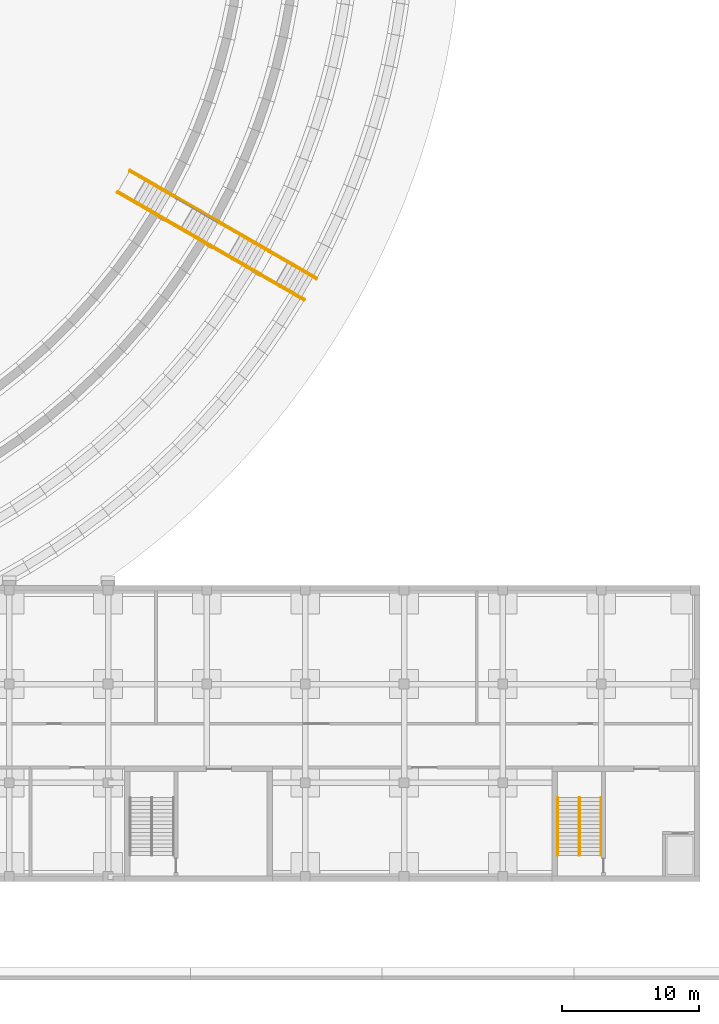
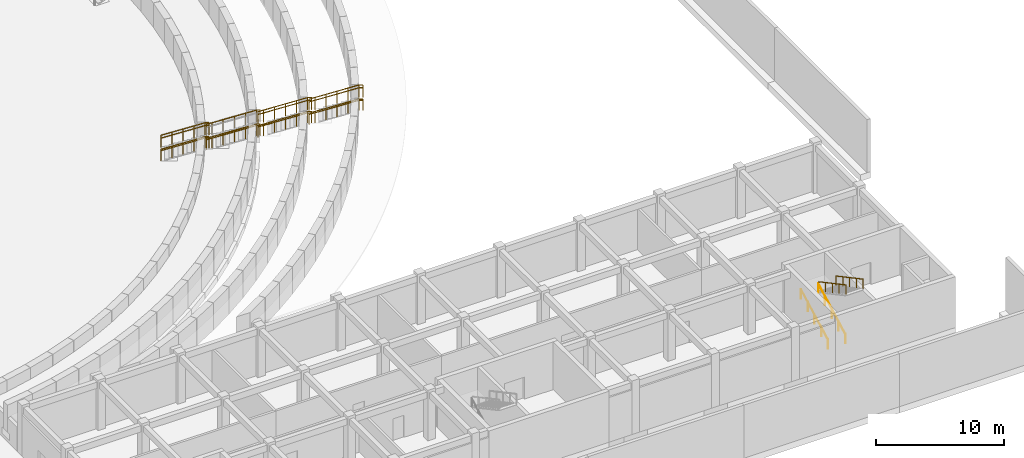
# One storey, part 67 of 73: 19 railings, 4 elements without a shape of their own.
"""IFC4 building model written with IfcOpenShell, lengths in metres."""

from ifc_helpers import new_model, si_unit, direction, frame, origin, origin_2d, place, context, subcontext, project, spatial, circle, extrude, material, type_object, element, aggregate, save


model = new_model("IFC4")

# Units and contexts
model_context = context("Model", 3, precision=1e-05, world=origin(), true_north=direction((0.0, 1.0)))
body_context = subcontext(model_context, "Body", "Model", "MODEL_VIEW")
ifc_project = project(units=[si_unit("LENGTHUNIT", "METRE"), si_unit("AREAUNIT", "SQUARE_METRE"), si_unit("VOLUMEUNIT", "CUBIC_METRE"), si_unit("PLANEANGLEUNIT", "RADIAN"), si_unit("MASSUNIT", "GRAM", prefix="KILO")], contexts=[model_context])

# Site, building, storey
site_placement = place(None, origin())
site = spatial("IfcSite", under=ifc_project, at=site_placement, CompositionType="ELEMENT")
building_placement = place(site_placement, origin())
building = spatial("IfcBuilding", under=site, at=building_placement, Name="Alderwick Market Hall", CompositionType="ELEMENT")
storey_placement = place(building_placement, origin())
storey = spatial("IfcBuildingStorey", under=building, at=storey_placement, Name="LG", CompositionType="ELEMENT", Elevation=0.0)

# Railings
ifc_material_1 = material(Name="Steel ASTM A500 Grade C", Category="steel")
railing_type_1 = type_object("IfcRailingType", Name="C Stair Handrail 900", PredefinedType="HANDRAIL", material=ifc_material_1)
for number, where, name in (
    (1, (220.02001953125, 9.10009765625, 0.14990234375), "C.rail.LG.C.1"),
    (2, (221.580078125, 9.10009765625, 0.14990234375), "C.rail.LG.C.2"),
):
    element("IfcRailing", number, at=place(storey_placement, frame(where)), inside=storey, type_object=railing_type_1, Name=name, PredefinedType="HANDRAIL", context=body_context, shape_type="SweptSolid", body=[
        extrude(circle(Radius=0.02392578125, at=origin_2d()), frame((0.0, 0.0, 0.8759765625), z_axis=(0.0, 0.881477684796, 0.472225678258), x_axis=(-1.0, 0.0, 0.0)), (0.0, 0.0, 1.0), 4.7646484375),
        extrude(circle(Radius=0.02099609375, at=origin_2d()), origin(), (0.0, 0.0, 1.0), 0.851806640625),
        extrude(circle(Radius=0.02099609375, at=origin_2d()), frame((0.0, 1.050048828125, 0.5625)), (0.0, 0.0, 1.0), 0.851806640625),
        extrude(circle(Radius=0.02099609375, at=origin_2d()), frame((0.0, 2.10009765625, 1.125)), (0.0, 0.0, 1.0), 0.851806640625),
        extrude(circle(Radius=0.02099609375, at=origin_2d()), frame((0.0, 3.14990234375, 1.6875)), (0.0, 0.0, 1.0), 0.851806640625),
        extrude(circle(Radius=0.02099609375, at=origin_2d()), frame((0.0, 4.199951171875, 2.25)), (0.0, 0.0, 1.0), 0.851806640625),
    ])
for number, where, name in (
    (3, (221.6201171875, 13.300048828125, 2.550048828125), "C.rail.LG.C.3"),
    (4, (223.179931640625, 13.300048828125, 2.550048828125), "C.rail.LG.C.4"),
):
    element("IfcRailing", number, at=place(storey_placement, frame(where)), inside=storey, type_object=railing_type_1, Name=name, PredefinedType="HANDRAIL", context=body_context, shape_type="SweptSolid", body=[
        extrude(circle(Radius=0.02392578125, at=origin_2d()), frame((0.0, 0.0, 0.8759765625), z_axis=(0.0, -0.881477684796, 0.472225678258), x_axis=(1.0, 0.0, 0.0)), (0.0, 0.0, 1.0), 4.7646484375),
        extrude(circle(Radius=0.02099609375, at=origin_2d()), origin(), (0.0, 0.0, 1.0), 0.851806640625),
        extrude(circle(Radius=0.02099609375, at=origin_2d()), frame((0.0, -1.050048828125, 0.5625)), (0.0, 0.0, 1.0), 0.851806640625),
        extrude(circle(Radius=0.02099609375, at=origin_2d()), frame((0.0, -2.10009765625, 1.125)), (0.0, 0.0, 1.0), 0.851806640625),
        extrude(circle(Radius=0.02099609375, at=origin_2d()), frame((0.0, -3.14990234375, 1.6875)), (0.0, 0.0, 1.0), 0.851806640625),
        extrude(circle(Radius=0.02099609375, at=origin_2d()), frame((0.0, -4.199951171875, 2.25)), (0.0, 0.0, 1.0), 0.851806640625),
    ])

# Stair, railings
ifc_material_2 = material(Name="Concrete 5000 psi (f'c 35 MPa)", Category="concrete")
stair_type = type_object("IfcStairType", Name="S Garden Stair", PredefinedType="STRAIGHT_RUN_STAIR", material=ifc_material_2)
stair_1_placement = place(storey_placement, origin())
stair_1 = element("IfcStair", 5, at=stair_1_placement, inside=storey, type_object=stair_type, Name="Terrace stair 1.1", PredefinedType="STRAIGHT_RUN_STAIR")
railing_type_2 = type_object("IfcRailingType", Name="S Guard 1100", PredefinedType="GUARDRAIL", material=ifc_material_1)
railing_1_placement = place(storey_placement, frame((188.81689453125, 59.098388671875, 0.0)))
railing_1 = element("IfcRailing", 6, at=railing_1_placement, type_object=railing_type_2, Name="Stair 1.1 guard L", PredefinedType="GUARDRAIL", context=body_context, shape_type="SweptSolid", body=[
    extrude(circle(Radius=0.02490234375, at=origin_2d()), frame((0.0, 0.0, 1.0751953125), z_axis=(0.817977785049, -0.472218749091, 0.328514529622), x_axis=(0.499967486139, 0.866044174857, 0.0)), (0.0, 0.0, 1.0), 3.652587890625),
    extrude(circle(Radius=0.02490234375, at=origin_2d()), frame((2.98779296875, -1.724853515625, 2.27490234375), z_axis=(0.865778900179, -0.500426713919, 0.0), x_axis=(0.500426713919, 0.865778900179, 0.0)), (0.0, 0.0, 1.0), 0.300048828125),
    extrude(circle(Radius=0.02001953125, at=origin_2d()), origin(), (0.0, 0.0, 1.0), 1.050048828125),
    extrude(circle(Radius=0.02001953125, at=origin_2d()), frame((0.7470703125, -0.43115234375, 0.300048828125)), (0.0, 0.0, 1.0), 1.050048828125),
    extrude(circle(Radius=0.02001953125, at=origin_2d()), frame((1.493896484375, -0.8623046875, 0.60009765625)), (0.0, 0.0, 1.0), 1.050048828125),
    extrude(circle(Radius=0.02001953125, at=origin_2d()), frame((2.24072265625, -1.293701171875, 0.89990234375)), (0.0, 0.0, 1.0), 1.050048828125),
    extrude(circle(Radius=0.02001953125, at=origin_2d()), frame((2.98779296875, -1.724853515625, 1.199951171875)), (0.0, 0.0, 1.0), 1.050048828125),
    extrude(circle(Radius=0.02001953125, at=origin_2d()), frame((3.24755859375, -1.875, 1.199951171875)), (0.0, 0.0, 1.0), 1.050048828125),
])
railing_2_placement = place(storey_placement, frame((187.866943359375, 57.452880859375, 0.0)))
railing_2 = element("IfcRailing", 7, at=railing_2_placement, type_object=railing_type_2, Name="Stair 1.1 guard R", PredefinedType="GUARDRAIL", context=body_context, shape_type="SweptSolid", body=[
    extrude(circle(Radius=0.02490234375, at=origin_2d()), frame((0.0, 0.0, 1.0751953125), z_axis=(0.817977785049, -0.472218749091, 0.328514529622), x_axis=(0.499967486139, 0.866044174857, 0.0)), (0.0, 0.0, 1.0), 3.652587890625),
    extrude(circle(Radius=0.02490234375, at=origin_2d()), frame((2.98779296875, -1.724853515625, 2.27490234375), z_axis=(0.865778900179, -0.500426713919, 0.0), x_axis=(0.500426713919, 0.865778900179, 0.0)), (0.0, 0.0, 1.0), 0.300048828125),
    extrude(circle(Radius=0.02001953125, at=origin_2d()), origin(), (0.0, 0.0, 1.0), 1.050048828125),
    extrude(circle(Radius=0.02001953125, at=origin_2d()), frame((0.7470703125, -0.43115234375, 0.300048828125)), (0.0, 0.0, 1.0), 1.050048828125),
    extrude(circle(Radius=0.02001953125, at=origin_2d()), frame((1.493896484375, -0.8623046875, 0.60009765625)), (0.0, 0.0, 1.0), 1.050048828125),
    extrude(circle(Radius=0.02001953125, at=origin_2d()), frame((2.24072265625, -1.293701171875, 0.89990234375)), (0.0, 0.0, 1.0), 1.050048828125),
    extrude(circle(Radius=0.02001953125, at=origin_2d()), frame((2.98779296875, -1.724853515625, 1.199951171875)), (0.0, 0.0, 1.0), 1.050048828125),
    extrude(circle(Radius=0.02001953125, at=origin_2d()), frame((3.24755859375, -1.875, 1.199951171875)), (0.0, 0.0, 1.0), 1.050048828125),
])

stair_2_placement = place(storey_placement, origin())
stair_2 = element("IfcStair", 8, at=stair_2_placement, inside=storey, type_object=stair_type, Name="Terrace stair 2.1", PredefinedType="STRAIGHT_RUN_STAIR")
railing_3_placement = place(storey_placement, frame((191.908447265625, 57.313720703125, 1.050048828125)))
railing_3 = element("IfcRailing", 9, at=railing_3_placement, type_object=railing_type_2, Name="Stair 2.1 guard L", PredefinedType="GUARDRAIL", context=body_context, shape_type="SweptSolid", body=[
    extrude(circle(Radius=0.02490234375, at=origin_2d()), frame((0.0, 0.0, 1.0751953125), z_axis=(0.817718032598, -0.472768306617, 0.328370746904), x_axis=(0.5005228413, 0.865723330711, 0.0)), (0.0, 0.0, 1.0), 0.45654296875),
    extrude(circle(Radius=0.02490234375, at=origin_2d()), frame((0.373291015625, -0.2158203125, 1.22509765625), z_axis=(0.817977785049, -0.472218749091, 0.328514529622), x_axis=(0.499967486139, 0.866044174857, 0.0)), (0.0, 0.0, 1.0), 3.652587890625),
    extrude(circle(Radius=0.02490234375, at=origin_2d()), frame((3.361083984375, -1.940673828125, 2.4248046875), z_axis=(0.865778900179, -0.500426713919, 0.0), x_axis=(0.500426713919, 0.865778900179, 0.0)), (0.0, 0.0, 1.0), 0.300048828125),
    extrude(circle(Radius=0.02001953125, at=origin_2d()), origin(), (0.0, 0.0, 1.0), 1.050048828125),
    extrude(circle(Radius=0.02001953125, at=origin_2d()), frame((0.373291015625, -0.2158203125, 0.14990234375)), (0.0, 0.0, 1.0), 1.050048828125),
    extrude(circle(Radius=0.02001953125, at=origin_2d()), frame((1.1201171875, -0.64697265625, 0.449951171875)), (0.0, 0.0, 1.0), 1.050048828125),
    extrude(circle(Radius=0.02001953125, at=origin_2d()), frame((1.8671875, -1.078125, 0.75)), (0.0, 0.0, 1.0), 1.050048828125),
    extrude(circle(Radius=0.02001953125, at=origin_2d()), frame((2.6142578125, -1.509521484375, 1.0498046875)), (0.0, 0.0, 1.0), 1.050048828125),
    extrude(circle(Radius=0.02001953125, at=origin_2d()), frame((3.361083984375, -1.940673828125, 1.349853515625)), (0.0, 0.0, 1.0), 1.050048828125),
    extrude(circle(Radius=0.02001953125, at=origin_2d()), frame((3.620849609375, -2.0908203125, 1.349853515625)), (0.0, 0.0, 1.0), 1.050048828125),
])
railing_4_placement = place(storey_placement, frame((190.95849609375, 55.668212890625, 1.050048828125)))
railing_4 = element("IfcRailing", 10, at=railing_4_placement, type_object=railing_type_2, Name="Stair 2.1 guard R", PredefinedType="GUARDRAIL", context=body_context, shape_type="SweptSolid", body=[
    extrude(circle(Radius=0.02490234375, at=origin_2d()), frame((0.0, 0.0, 1.0751953125), z_axis=(0.817718032598, -0.472768306617, 0.328370746904), x_axis=(0.5005228413, 0.865723330711, 0.0)), (0.0, 0.0, 1.0), 0.45654296875),
    extrude(circle(Radius=0.02490234375, at=origin_2d()), frame((0.373291015625, -0.2158203125, 1.22509765625), z_axis=(0.817977785049, -0.472218749091, 0.328514529622), x_axis=(0.499967486139, 0.866044174857, 0.0)), (0.0, 0.0, 1.0), 3.652587890625),
    extrude(circle(Radius=0.02490234375, at=origin_2d()), frame((3.361083984375, -1.940673828125, 2.4248046875), z_axis=(0.865778900179, -0.500426713919, 0.0), x_axis=(0.500426713919, 0.865778900179, 0.0)), (0.0, 0.0, 1.0), 0.300048828125),
    extrude(circle(Radius=0.02001953125, at=origin_2d()), origin(), (0.0, 0.0, 1.0), 1.050048828125),
    extrude(circle(Radius=0.02001953125, at=origin_2d()), frame((0.373291015625, -0.2158203125, 0.14990234375)), (0.0, 0.0, 1.0), 1.050048828125),
    extrude(circle(Radius=0.02001953125, at=origin_2d()), frame((1.1201171875, -0.64697265625, 0.449951171875)), (0.0, 0.0, 1.0), 1.050048828125),
    extrude(circle(Radius=0.02001953125, at=origin_2d()), frame((1.8671875, -1.078125, 0.75)), (0.0, 0.0, 1.0), 1.050048828125),
    extrude(circle(Radius=0.02001953125, at=origin_2d()), frame((2.6142578125, -1.509521484375, 1.0498046875)), (0.0, 0.0, 1.0), 1.050048828125),
    extrude(circle(Radius=0.02001953125, at=origin_2d()), frame((3.361083984375, -1.940673828125, 1.349853515625)), (0.0, 0.0, 1.0), 1.050048828125),
    extrude(circle(Radius=0.02001953125, at=origin_2d()), frame((3.620849609375, -2.0908203125, 1.349853515625)), (0.0, 0.0, 1.0), 1.050048828125),
])

stair_3_placement = place(storey_placement, origin())
stair_3 = element("IfcStair", 11, at=stair_3_placement, inside=storey, type_object=stair_type, Name="Terrace stair 3.1", PredefinedType="STRAIGHT_RUN_STAIR")
railing_5_placement = place(storey_placement, frame((195.373291015625, 55.313232421875, 2.25)))
railing_5 = element("IfcRailing", 12, at=railing_5_placement, type_object=railing_type_2, Name="Stair 3.1 guard L", PredefinedType="GUARDRAIL", context=body_context, shape_type="SweptSolid", body=[
    extrude(circle(Radius=0.02490234375, at=origin_2d()), frame((0.0, 0.0, 1.0751953125), z_axis=(0.817924745205, -0.472352877708, 0.328453756413), x_axis=(0.500098305348, 0.865968639725, 0.0)), (0.0, 0.0, 1.0), 0.456298828125),
    extrude(circle(Radius=0.02490234375, at=origin_2d()), frame((0.373291015625, -0.215576171875, 1.22509765625), z_axis=(0.817934006453, -0.472260311293, 0.328563782948), x_axis=(0.500020560727, 0.866013532718, 0.0)), (0.0, 0.0, 1.0), 3.65283203125),
    extrude(circle(Radius=0.02490234375, at=origin_2d()), frame((3.361083984375, -1.940673828125, 2.42529296875), z_axis=(0.866131372301, -0.499816412211, 0.0), x_axis=(0.499816412211, 0.866131372301, 0.0)), (0.0, 0.0, 1.0), 0.2998046875),
    extrude(circle(Radius=0.02001953125, at=origin_2d()), origin(), (0.0, 0.0, 1.0), 1.050048828125),
    extrude(circle(Radius=0.02001953125, at=origin_2d()), frame((0.373291015625, -0.215576171875, 0.14990234375)), (0.0, 0.0, 1.0), 1.050048828125),
    extrude(circle(Radius=0.02001953125, at=origin_2d()), frame((1.1201171875, -0.64697265625, 0.449951171875)), (0.0, 0.0, 1.0), 1.050048828125),
    extrude(circle(Radius=0.02001953125, at=origin_2d()), frame((1.8671875, -1.078125, 0.75)), (0.0, 0.0, 1.0), 1.050048828125),
    extrude(circle(Radius=0.02001953125, at=origin_2d()), frame((2.6142578125, -1.50927734375, 1.050048828125)), (0.0, 0.0, 1.0), 1.050048828125),
    extrude(circle(Radius=0.02001953125, at=origin_2d()), frame((3.361083984375, -1.940673828125, 1.35009765625)), (0.0, 0.0, 1.0), 1.050048828125),
    extrude(circle(Radius=0.02001953125, at=origin_2d()), frame((3.620849609375, -2.090576171875, 1.35009765625)), (0.0, 0.0, 1.0), 1.050048828125),
])
railing_6_placement = place(storey_placement, frame((194.423095703125, 53.667724609375, 2.25)))
railing_6 = element("IfcRailing", 13, at=railing_6_placement, type_object=railing_type_2, Name="Stair 3.1 guard R", PredefinedType="GUARDRAIL", context=body_context, shape_type="SweptSolid", body=[
    extrude(circle(Radius=0.02490234375, at=origin_2d()), frame((0.0, 0.0, 1.0751953125), z_axis=(0.818101694041, -0.472146271789, 0.328310091595), x_axis=(0.499853131152, 0.86611018195, 0.0)), (0.0, 0.0, 1.0), 0.45654296875),
    extrude(circle(Radius=0.02490234375, at=origin_2d()), frame((0.37353515625, -0.215576171875, 1.22509765625), z_axis=(0.817934006453, -0.472260311293, 0.328563782948), x_axis=(0.500020560727, 0.866013532718, 0.0)), (0.0, 0.0, 1.0), 3.65283203125),
    extrude(circle(Radius=0.02490234375, at=origin_2d()), frame((3.361328125, -1.940673828125, 2.42529296875), z_axis=(0.866131372301, -0.499816412211, 0.0), x_axis=(0.499816412211, 0.866131372301, 0.0)), (0.0, 0.0, 1.0), 0.2998046875),
    extrude(circle(Radius=0.02001953125, at=origin_2d()), origin(), (0.0, 0.0, 1.0), 1.050048828125),
    extrude(circle(Radius=0.02001953125, at=origin_2d()), frame((0.37353515625, -0.215576171875, 0.14990234375)), (0.0, 0.0, 1.0), 1.050048828125),
    extrude(circle(Radius=0.02001953125, at=origin_2d()), frame((1.12060546875, -0.64697265625, 0.449951171875)), (0.0, 0.0, 1.0), 1.050048828125),
    extrude(circle(Radius=0.02001953125, at=origin_2d()), frame((1.867431640625, -1.078125, 0.75)), (0.0, 0.0, 1.0), 1.050048828125),
    extrude(circle(Radius=0.02001953125, at=origin_2d()), frame((2.6142578125, -1.50927734375, 1.050048828125)), (0.0, 0.0, 1.0), 1.050048828125),
    extrude(circle(Radius=0.02001953125, at=origin_2d()), frame((3.361328125, -1.940673828125, 1.35009765625)), (0.0, 0.0, 1.0), 1.050048828125),
    extrude(circle(Radius=0.02001953125, at=origin_2d()), frame((3.62109375, -2.090576171875, 1.35009765625)), (0.0, 0.0, 1.0), 1.050048828125),
])

stair_4_placement = place(storey_placement, origin())
stair_4 = element("IfcStair", 14, at=stair_4_placement, inside=storey, type_object=stair_type, Name="Terrace stair 4.1", PredefinedType="STRAIGHT_RUN_STAIR")
railing_7_placement = place(storey_placement, frame((198.837890625, 53.312744140625, 3.449951171875)))
railing_7 = element("IfcRailing", 15, at=railing_7_placement, type_object=railing_type_2, Name="Stair 4.1 guard L", PredefinedType="GUARDRAIL", context=body_context, shape_type="SweptSolid", body=[
    extrude(circle(Radius=0.02490234375, at=origin_2d()), frame((0.0, 0.0, 1.0751953125), z_axis=(0.817780953967, -0.472269838033, 0.328930861144), x_axis=(0.500098305348, 0.865968639725, 0.0)), (0.0, 0.0, 1.0), 0.45654296875),
    extrude(circle(Radius=0.02490234375, at=origin_2d()), frame((0.373291015625, -0.215576171875, 1.22509765625), z_axis=(0.817999901143, -0.472192932558, 0.3284965695), x_axis=(0.499936846106, 0.866061862632, 0.0)), (0.0, 0.0, 1.0), 3.65283203125),
    extrude(circle(Radius=0.02490234375, at=origin_2d()), frame((3.361328125, -1.9404296875, 2.42529296875), z_axis=(0.865778900179, -0.500426713919, 0.0), x_axis=(0.500426713919, 0.865778900179, 0.0)), (0.0, 0.0, 1.0), 0.300048828125),
    extrude(circle(Radius=0.02001953125, at=origin_2d()), origin(), (0.0, 0.0, 1.0), 1.050048828125),
    extrude(circle(Radius=0.02001953125, at=origin_2d()), frame((0.373291015625, -0.215576171875, 0.150146484375)), (0.0, 0.0, 1.0), 1.050048828125),
    extrude(circle(Radius=0.02001953125, at=origin_2d()), frame((1.120361328125, -0.646728515625, 0.4501953125)), (0.0, 0.0, 1.0), 1.050048828125),
    extrude(circle(Radius=0.02001953125, at=origin_2d()), frame((1.8671875, -1.078125, 0.75)), (0.0, 0.0, 1.0), 1.050048828125),
    extrude(circle(Radius=0.02001953125, at=origin_2d()), frame((2.6142578125, -1.50927734375, 1.050048828125)), (0.0, 0.0, 1.0), 1.050048828125),
    extrude(circle(Radius=0.02001953125, at=origin_2d()), frame((3.361328125, -1.9404296875, 1.35009765625)), (0.0, 0.0, 1.0), 1.050048828125),
    extrude(circle(Radius=0.02001953125, at=origin_2d()), frame((3.62109375, -2.090576171875, 1.35009765625)), (0.0, 0.0, 1.0), 1.050048828125),
])
railing_8_placement = place(storey_placement, frame((197.887939453125, 51.66748046875, 3.449951171875)))
railing_8 = element("IfcRailing", 16, at=railing_8_placement, type_object=railing_type_2, Name="Stair 4.1 guard R", PredefinedType="GUARDRAIL", context=body_context, shape_type="SweptSolid", body=[
    extrude(circle(Radius=0.02490234375, at=origin_2d()), frame((0.0, 0.0, 1.0751953125), z_axis=(0.817780953967, -0.472269838033, 0.328930861144), x_axis=(0.500098305348, 0.865968639725, 0.0)), (0.0, 0.0, 1.0), 0.45654296875),
    extrude(circle(Radius=0.02490234375, at=origin_2d()), frame((0.373291015625, -0.215576171875, 1.22509765625), z_axis=(0.817951966849, -0.4722706813, 0.328504160571), x_axis=(0.500020560727, 0.866013532718, 0.0)), (0.0, 0.0, 1.0), 3.65283203125),
    extrude(circle(Radius=0.02490234375, at=origin_2d()), frame((3.361083984375, -1.940673828125, 2.42529296875), z_axis=(0.866131372301, -0.499816412211, 0.0), x_axis=(0.499816412211, 0.866131372301, 0.0)), (0.0, 0.0, 1.0), 0.2998046875),
    extrude(circle(Radius=0.02001953125, at=origin_2d()), origin(), (0.0, 0.0, 1.0), 1.050048828125),
    extrude(circle(Radius=0.02001953125, at=origin_2d()), frame((0.373291015625, -0.215576171875, 0.150146484375)), (0.0, 0.0, 1.0), 1.050048828125),
    extrude(circle(Radius=0.02001953125, at=origin_2d()), frame((1.1201171875, -0.64697265625, 0.4501953125)), (0.0, 0.0, 1.0), 1.050048828125),
    extrude(circle(Radius=0.02001953125, at=origin_2d()), frame((1.8671875, -1.078125, 0.75)), (0.0, 0.0, 1.0), 1.050048828125),
    extrude(circle(Radius=0.02001953125, at=origin_2d()), frame((2.6142578125, -1.50927734375, 1.050048828125)), (0.0, 0.0, 1.0), 1.050048828125),
    extrude(circle(Radius=0.02001953125, at=origin_2d()), frame((3.361083984375, -1.940673828125, 1.35009765625)), (0.0, 0.0, 1.0), 1.050048828125),
    extrude(circle(Radius=0.02001953125, at=origin_2d()), frame((3.620849609375, -2.090576171875, 1.35009765625)), (0.0, 0.0, 1.0), 1.050048828125),
])

# Railing
railing_type_3 = type_object("IfcRailingType", Name="S Handrail 900", PredefinedType="HANDRAIL", material=ifc_material_1)
railing_9_placement = place(storey_placement, frame((188.766845703125, 59.011962890625, 0.0)))
railing_9 = element("IfcRailing", 17, at=railing_9_placement, type_object=railing_type_3, Name="Stair 1.1 handrail L", PredefinedType="HANDRAIL", context=body_context, shape_type="SweptSolid", body=[
    extrude(circle(Radius=0.02490234375, at=origin_2d()), frame((0.0, 0.0, 0.875), z_axis=(0.817951966849, -0.4722706813, 0.328504160571), x_axis=(0.500020560727, 0.866013532718, 0.0)), (0.0, 0.0, 1.0), 3.65283203125),
    extrude(circle(Radius=0.02490234375, at=origin_2d()), frame((2.98779296875, -1.72509765625, 2.07470703125), z_axis=(0.866131372301, -0.499816412211, 0.0), x_axis=(0.499816412211, 0.866131372301, 0.0)), (0.0, 0.0, 1.0), 0.2998046875),
    extrude(circle(Radius=0.02001953125, at=origin_2d()), origin(), (0.0, 0.0, 1.0), 0.849853515625),
    extrude(circle(Radius=0.02001953125, at=origin_2d()), frame((0.7470703125, -0.43115234375, 0.300048828125)), (0.0, 0.0, 1.0), 0.849853515625),
    extrude(circle(Radius=0.02001953125, at=origin_2d()), frame((1.493896484375, -0.862548828125, 0.60009765625)), (0.0, 0.0, 1.0), 0.849853515625),
    extrude(circle(Radius=0.02001953125, at=origin_2d()), frame((2.24072265625, -1.2939453125, 0.89990234375)), (0.0, 0.0, 1.0), 0.849853515625),
    extrude(circle(Radius=0.02001953125, at=origin_2d()), frame((2.98779296875, -1.72509765625, 1.199951171875)), (0.0, 0.0, 1.0), 0.849853515625),
    extrude(circle(Radius=0.02001953125, at=origin_2d()), frame((3.24755859375, -1.875, 1.199951171875)), (0.0, 0.0, 1.0), 0.849853515625),
])

railing_10_placement = place(storey_placement, frame((187.9169921875, 57.53955078125, 0.0)))
railing_10 = element("IfcRailing", 18, at=railing_10_placement, type_object=railing_type_3, Name="Stair 1.1 handrail R", PredefinedType="HANDRAIL", context=body_context, shape_type="SweptSolid", body=[
    extrude(circle(Radius=0.02490234375, at=origin_2d()), frame((0.0, 0.0, 0.875), z_axis=(0.817977785049, -0.472218749091, 0.328514529622), x_axis=(0.499967486139, 0.866044174857, 0.0)), (0.0, 0.0, 1.0), 3.652587890625),
    extrude(circle(Radius=0.02490234375, at=origin_2d()), frame((2.98779296875, -1.724853515625, 2.07470703125), z_axis=(0.865778900179, -0.500426713919, 0.0), x_axis=(0.500426713919, 0.865778900179, 0.0)), (0.0, 0.0, 1.0), 0.300048828125),
    extrude(circle(Radius=0.02001953125, at=origin_2d()), origin(), (0.0, 0.0, 1.0), 0.849853515625),
    extrude(circle(Radius=0.02001953125, at=origin_2d()), frame((0.7470703125, -0.43115234375, 0.300048828125)), (0.0, 0.0, 1.0), 0.849853515625),
    extrude(circle(Radius=0.02001953125, at=origin_2d()), frame((1.493896484375, -0.8623046875, 0.60009765625)), (0.0, 0.0, 1.0), 0.849853515625),
    extrude(circle(Radius=0.02001953125, at=origin_2d()), frame((2.24072265625, -1.293701171875, 0.89990234375)), (0.0, 0.0, 1.0), 0.849853515625),
    extrude(circle(Radius=0.02001953125, at=origin_2d()), frame((2.98779296875, -1.724853515625, 1.199951171875)), (0.0, 0.0, 1.0), 0.849853515625),
    extrude(circle(Radius=0.02001953125, at=origin_2d()), frame((3.24755859375, -1.875, 1.199951171875)), (0.0, 0.0, 1.0), 0.849853515625),
])

aggregate(stair_1, [railing_1, railing_9, railing_2, railing_10])

railing_11_placement = place(storey_placement, frame((191.00830078125, 55.7548828125, 1.050048828125)))
railing_11 = element("IfcRailing", 19, at=railing_11_placement, type_object=railing_type_3, Name="Stair 2.1 handrail R", PredefinedType="HANDRAIL", context=body_context, shape_type="SweptSolid", body=[
    extrude(circle(Radius=0.02490234375, at=origin_2d()), frame((0.0, 0.0, 0.875), z_axis=(0.817895117476, -0.472561623431, 0.328227190935), x_axis=(0.500277597875, 0.865865073245, 0.0)), (0.0, 0.0, 1.0), 0.456787109375),
    extrude(circle(Radius=0.02490234375, at=origin_2d()), frame((0.37353515625, -0.2158203125, 1.02490234375), z_axis=(0.817977785049, -0.472218749091, 0.328514529622), x_axis=(0.499967486139, 0.866044174857, 0.0)), (0.0, 0.0, 1.0), 3.652587890625),
    extrude(circle(Radius=0.02490234375, at=origin_2d()), frame((3.361328125, -1.940673828125, 2.224609375), z_axis=(0.865778900179, -0.500426713919, 0.0), x_axis=(0.500426713919, 0.865778900179, 0.0)), (0.0, 0.0, 1.0), 0.300048828125),
    extrude(circle(Radius=0.02001953125, at=origin_2d()), origin(), (0.0, 0.0, 1.0), 0.849853515625),
    extrude(circle(Radius=0.02001953125, at=origin_2d()), frame((0.37353515625, -0.2158203125, 0.14990234375)), (0.0, 0.0, 1.0), 0.849853515625),
    extrude(circle(Radius=0.02001953125, at=origin_2d()), frame((1.12060546875, -0.64697265625, 0.449951171875)), (0.0, 0.0, 1.0), 0.849853515625),
    extrude(circle(Radius=0.02001953125, at=origin_2d()), frame((1.867431640625, -1.078125, 0.75)), (0.0, 0.0, 1.0), 0.849853515625),
    extrude(circle(Radius=0.02001953125, at=origin_2d()), frame((2.6142578125, -1.509521484375, 1.0498046875)), (0.0, 0.0, 1.0), 0.849853515625),
    extrude(circle(Radius=0.02001953125, at=origin_2d()), frame((3.361328125, -1.940673828125, 1.349853515625)), (0.0, 0.0, 1.0), 0.849853515625),
    extrude(circle(Radius=0.02001953125, at=origin_2d()), frame((3.62109375, -2.0908203125, 1.349853515625)), (0.0, 0.0, 1.0), 0.849853515625),
])

aggregate(stair_2, [railing_3, railing_4, railing_11])

railing_12_placement = place(storey_placement, frame((195.3232421875, 55.2265625, 2.25)))
railing_12 = element("IfcRailing", 20, at=railing_12_placement, type_object=railing_type_3, Name="Stair 3.1 handrail L", PredefinedType="HANDRAIL", context=body_context, shape_type="SweptSolid", body=[
    extrude(circle(Radius=0.02490234375, at=origin_2d()), frame((0.0, 0.0, 0.875), z_axis=(0.817924745205, -0.472352877708, 0.328453756413), x_axis=(0.500098305348, 0.865968639725, 0.0)), (0.0, 0.0, 1.0), 0.456298828125),
    extrude(circle(Radius=0.02490234375, at=origin_2d()), frame((0.373291015625, -0.215576171875, 1.02490234375), z_axis=(0.817934006453, -0.472260311293, 0.328563782948), x_axis=(0.500020560727, 0.866013532718, 0.0)), (0.0, 0.0, 1.0), 3.65283203125),
    extrude(circle(Radius=0.02490234375, at=origin_2d()), frame((3.361083984375, -1.940673828125, 2.22509765625), z_axis=(0.866131372301, -0.499816412211, 0.0), x_axis=(0.499816412211, 0.866131372301, 0.0)), (0.0, 0.0, 1.0), 0.2998046875),
    extrude(circle(Radius=0.02001953125, at=origin_2d()), origin(), (0.0, 0.0, 1.0), 0.849853515625),
    extrude(circle(Radius=0.02001953125, at=origin_2d()), frame((0.373291015625, -0.215576171875, 0.14990234375)), (0.0, 0.0, 1.0), 0.849853515625),
    extrude(circle(Radius=0.02001953125, at=origin_2d()), frame((1.1201171875, -0.64697265625, 0.449951171875)), (0.0, 0.0, 1.0), 0.849853515625),
    extrude(circle(Radius=0.02001953125, at=origin_2d()), frame((1.8671875, -1.078125, 0.75)), (0.0, 0.0, 1.0), 0.849853515625),
    extrude(circle(Radius=0.02001953125, at=origin_2d()), frame((2.6142578125, -1.50927734375, 1.050048828125)), (0.0, 0.0, 1.0), 0.849853515625),
    extrude(circle(Radius=0.02001953125, at=origin_2d()), frame((3.361083984375, -1.940673828125, 1.35009765625)), (0.0, 0.0, 1.0), 0.849853515625),
    extrude(circle(Radius=0.02001953125, at=origin_2d()), frame((3.620849609375, -2.090576171875, 1.35009765625)), (0.0, 0.0, 1.0), 0.849853515625),
])

railing_13_placement = place(storey_placement, frame((194.47314453125, 53.75439453125, 2.25)))
railing_13 = element("IfcRailing", 21, at=railing_13_placement, type_object=railing_type_3, Name="Stair 3.1 handrail R", PredefinedType="HANDRAIL", context=body_context, shape_type="SweptSolid", body=[
    extrude(circle(Radius=0.02490234375, at=origin_2d()), frame((0.0, 0.0, 0.875), z_axis=(0.818101694041, -0.472146271789, 0.328310091595), x_axis=(0.499853131152, 0.86611018195, 0.0)), (0.0, 0.0, 1.0), 0.45654296875),
    extrude(circle(Radius=0.02490234375, at=origin_2d()), frame((0.37353515625, -0.215576171875, 1.02490234375), z_axis=(0.817934006453, -0.472260311293, 0.328563782948), x_axis=(0.500020560727, 0.866013532718, 0.0)), (0.0, 0.0, 1.0), 3.65283203125),
    extrude(circle(Radius=0.02490234375, at=origin_2d()), frame((3.361328125, -1.940673828125, 2.22509765625), z_axis=(0.866131372301, -0.499816412211, 0.0), x_axis=(0.499816412211, 0.866131372301, 0.0)), (0.0, 0.0, 1.0), 0.2998046875),
    extrude(circle(Radius=0.02001953125, at=origin_2d()), origin(), (0.0, 0.0, 1.0), 0.849853515625),
    extrude(circle(Radius=0.02001953125, at=origin_2d()), frame((0.37353515625, -0.215576171875, 0.14990234375)), (0.0, 0.0, 1.0), 0.849853515625),
    extrude(circle(Radius=0.02001953125, at=origin_2d()), frame((1.12060546875, -0.64697265625, 0.449951171875)), (0.0, 0.0, 1.0), 0.849853515625),
    extrude(circle(Radius=0.02001953125, at=origin_2d()), frame((1.867431640625, -1.078125, 0.75)), (0.0, 0.0, 1.0), 0.849853515625),
    extrude(circle(Radius=0.02001953125, at=origin_2d()), frame((2.6142578125, -1.50927734375, 1.050048828125)), (0.0, 0.0, 1.0), 0.849853515625),
    extrude(circle(Radius=0.02001953125, at=origin_2d()), frame((3.361328125, -1.940673828125, 1.35009765625)), (0.0, 0.0, 1.0), 0.849853515625),
    extrude(circle(Radius=0.02001953125, at=origin_2d()), frame((3.62109375, -2.090576171875, 1.35009765625)), (0.0, 0.0, 1.0), 0.849853515625),
])

aggregate(stair_3, [railing_5, railing_12, railing_6, railing_13])

railing_14_placement = place(storey_placement, frame((198.787841796875, 53.226318359375, 3.449951171875)))
railing_14 = element("IfcRailing", 22, at=railing_14_placement, type_object=railing_type_3, Name="Stair 4.1 handrail L", PredefinedType="HANDRAIL", context=body_context, shape_type="SweptSolid", body=[
    extrude(circle(Radius=0.02490234375, at=origin_2d()), frame((0.0, 0.0, 0.875), z_axis=(0.817751529692, -0.4724786616, 0.328704046249), x_axis=(0.500277597875, 0.865865073245, 0.0)), (0.0, 0.0, 1.0), 0.456787109375),
    extrude(circle(Radius=0.02490234375, at=origin_2d()), frame((0.37353515625, -0.2158203125, 1.02490234375), z_axis=(0.817977785049, -0.472218749091, 0.328514529622), x_axis=(0.499967486139, 0.866044174857, 0.0)), (0.0, 0.0, 1.0), 3.652587890625),
    extrude(circle(Radius=0.02490234375, at=origin_2d()), frame((3.361328125, -1.940673828125, 2.22509765625), z_axis=(0.865778900179, -0.500426713919, 0.0), x_axis=(0.500426713919, 0.865778900179, 0.0)), (0.0, 0.0, 1.0), 0.300048828125),
    extrude(circle(Radius=0.02001953125, at=origin_2d()), origin(), (0.0, 0.0, 1.0), 0.849853515625),
    extrude(circle(Radius=0.02001953125, at=origin_2d()), frame((0.37353515625, -0.2158203125, 0.150146484375)), (0.0, 0.0, 1.0), 0.849853515625),
    extrude(circle(Radius=0.02001953125, at=origin_2d()), frame((1.12060546875, -0.64697265625, 0.4501953125)), (0.0, 0.0, 1.0), 0.849853515625),
    extrude(circle(Radius=0.02001953125, at=origin_2d()), frame((1.867431640625, -1.078125, 0.75)), (0.0, 0.0, 1.0), 0.849853515625),
    extrude(circle(Radius=0.02001953125, at=origin_2d()), frame((2.6142578125, -1.509521484375, 1.050048828125)), (0.0, 0.0, 1.0), 0.849853515625),
    extrude(circle(Radius=0.02001953125, at=origin_2d()), frame((3.361328125, -1.940673828125, 1.35009765625)), (0.0, 0.0, 1.0), 0.849853515625),
    extrude(circle(Radius=0.02001953125, at=origin_2d()), frame((3.62109375, -2.0908203125, 1.35009765625)), (0.0, 0.0, 1.0), 0.849853515625),
])

railing_15_placement = place(storey_placement, frame((197.93798828125, 51.75390625, 3.449951171875)))
railing_15 = element("IfcRailing", 23, at=railing_15_placement, type_object=railing_type_3, Name="Stair 4.1 handrail R", PredefinedType="HANDRAIL", context=body_context, shape_type="SweptSolid", body=[
    extrude(circle(Radius=0.02490234375, at=origin_2d()), frame((0.0, 0.0, 0.875), z_axis=(0.817780953967, -0.472269838033, 0.328930861144), x_axis=(0.500098305348, 0.865968639725, 0.0)), (0.0, 0.0, 1.0), 0.45654296875),
    extrude(circle(Radius=0.02490234375, at=origin_2d()), frame((0.373291015625, -0.215576171875, 1.02490234375), z_axis=(0.817977785049, -0.472218749091, 0.328514529622), x_axis=(0.499967486139, 0.866044174857, 0.0)), (0.0, 0.0, 1.0), 3.652587890625),
    extrude(circle(Radius=0.02490234375, at=origin_2d()), frame((3.361083984375, -1.9404296875, 2.22509765625), z_axis=(0.865778900179, -0.500426713919, 0.0), x_axis=(0.500426713919, 0.865778900179, 0.0)), (0.0, 0.0, 1.0), 0.300048828125),
    extrude(circle(Radius=0.02001953125, at=origin_2d()), origin(), (0.0, 0.0, 1.0), 0.849853515625),
    extrude(circle(Radius=0.02001953125, at=origin_2d()), frame((0.373291015625, -0.215576171875, 0.150146484375)), (0.0, 0.0, 1.0), 0.849853515625),
    extrude(circle(Radius=0.02001953125, at=origin_2d()), frame((1.1201171875, -0.646728515625, 0.4501953125)), (0.0, 0.0, 1.0), 0.849853515625),
    extrude(circle(Radius=0.02001953125, at=origin_2d()), frame((1.8671875, -1.078125, 0.75)), (0.0, 0.0, 1.0), 0.849853515625),
    extrude(circle(Radius=0.02001953125, at=origin_2d()), frame((2.6142578125, -1.50927734375, 1.050048828125)), (0.0, 0.0, 1.0), 0.849853515625),
    extrude(circle(Radius=0.02001953125, at=origin_2d()), frame((3.361083984375, -1.9404296875, 1.35009765625)), (0.0, 0.0, 1.0), 0.849853515625),
    extrude(circle(Radius=0.02001953125, at=origin_2d()), frame((3.620849609375, -2.090576171875, 1.35009765625)), (0.0, 0.0, 1.0), 0.849853515625),
])

aggregate(stair_4, [railing_7, railing_14, railing_8, railing_15])

save(model, "model.ifc")
